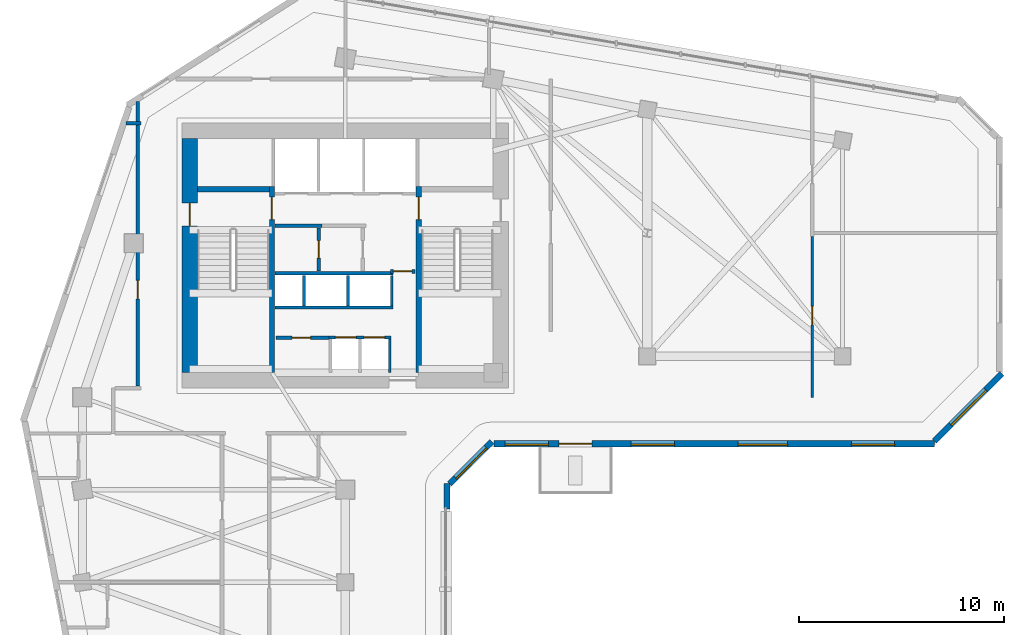
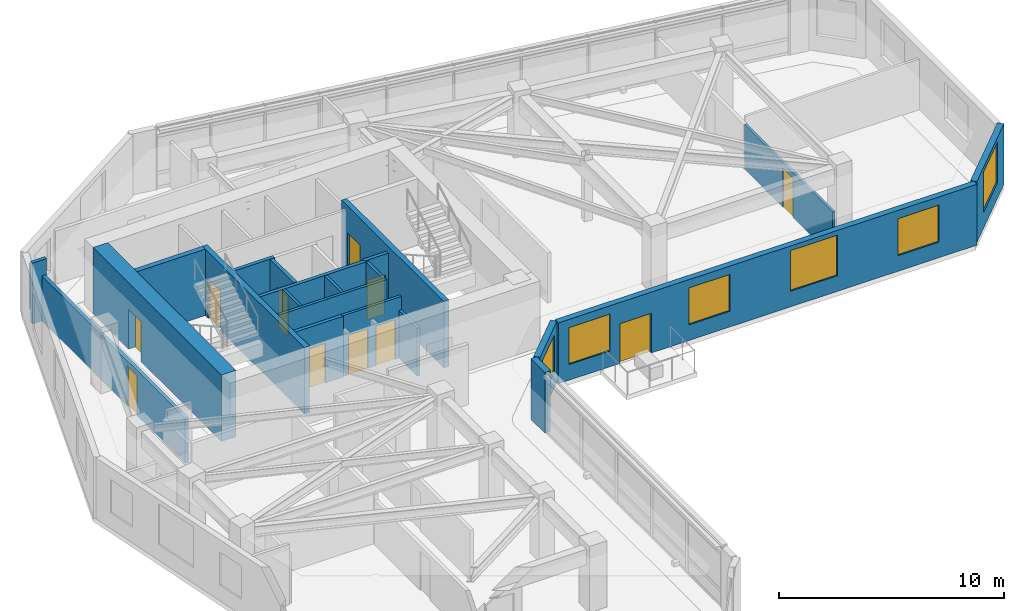
# One storey, part 6 of 12: 22 walls, 11 doors, 6 windows, 17 openings.
"""IFC4 building model written with IfcOpenShell, lengths in metres."""

from ifc_helpers import new_model, si_unit, direction, frame, frame_2d, origin, place, context, subcontext, project, spatial, rectangle, extrude, source, transform, mapped, material, layer, layer_set, type_object, element, fill, save


model = new_model("IFC4")

# Units and contexts
model_context = context("Model", 3, precision=1e-05, world=origin(), true_north=direction((0.0, 1.0)))
body_context = subcontext(model_context, "Body", "Model", "MODEL_VIEW")
ifc_project = project(units=[si_unit("LENGTHUNIT", "METRE"), si_unit("AREAUNIT", "SQUARE_METRE"), si_unit("VOLUMEUNIT", "CUBIC_METRE"), si_unit("PLANEANGLEUNIT", "RADIAN"), si_unit("MASSUNIT", "GRAM", prefix="KILO")], contexts=[model_context])

# Site, building, storey
site_placement = place(None, origin())
site = spatial("IfcSite", under=ifc_project, at=site_placement, CompositionType="ELEMENT")
building_placement = place(site_placement, origin())
building = spatial("IfcBuilding", under=site, at=building_placement, Name="Calvemar Wedge Station Tower", CompositionType="ELEMENT")
storey_placement = place(building_placement, frame((0.0, 0.0, 135.800048828125)))
storey = spatial("IfcBuildingStorey", under=building, at=storey_placement, Name="L33", CompositionType="ELEMENT", Elevation=135.800048828125)

# Wall, opening, door
ifc_material_1 = material(Name="Concrete C50", Category="concrete")
ifc_layer_1 = layer(ifc_material_1, 0.260009765625)
ifc_layer_set_1 = layer_set([ifc_layer_1], Name="Concrete C50")
wall_type_1 = type_object("IfcWallType", Name="SW-CORE-260", PredefinedType="SHEAR", material=ifc_layer_set_1)
wall_1_placement = place(storey_placement, frame((20.22998046875, 34.199951171875, 0.0), z_axis=(0.0, 0.0, 1.0), x_axis=(0.0, 1.0, 0.0)))
wall_1 = element("IfcWall", 1, at=wall_1_placement, inside=storey, type_object=wall_type_1, Name="Storey L33 Core Shear Wall SPINE-W", PredefinedType="SHEAR", context=body_context, shape_type="SweptSolid", body=[
    extrude(rectangle(XDim=9.06005859375, YDim=0.260009765625, at=frame_2d((4.530029296875, 0.0))), origin(), (0.0, 0.0, 1.0), 3.599853515625),
])
shared_shape_1 = source(origin(), body_context, "Body", "SweptSolid", [
    extrude(rectangle(XDim=1.10009765625, YDim=2.14990234375, at=frame_2d((0.550048828125, 1.074951171875))), frame((0.0, 0.14013671875, 0.0), z_axis=(0.0, -1.0, 0.0), x_axis=(1.0, 0.0, 0.0)), (0.0, 0.0, 1.0), 0.280029296875),
])
opening_1_placement = place(wall_1_placement, frame((7.449951171875, 0.0, 0.0)))
opening_1 = element("IfcOpeningElement", 2, at=opening_1_placement, cuts=wall_1, Name="Opening FD-90", PredefinedType="OPENING", context=body_context, shape_type="MappedRepresentation", body=[
    mapped(shared_shape_1, transform((0.0, 0.0, 0.0), scale=1.0)),
])
ifc_material_2 = material(Name="Galvanized fire-rated steel door leaf P-90", Category="steel")
door_type_1 = type_object("IfcDoorType", Name="DR-FD90-1100", OperationType="NOTDEFINED", PredefinedType="DOOR", material=ifc_material_2)
shared_shape_2 = source(origin(), body_context, "Body", "SweptSolid", [
    extrude(rectangle(XDim=1.10009765625, YDim=2.14990234375, at=frame_2d((0.550048828125, 1.074951171875))), frame((0.0, 0.02490234375, 0.0), z_axis=(0.0, -1.0, 0.0), x_axis=(1.0, 0.0, 0.0)), (0.0, 0.0, 1.0), 0.050048828125),
])
door_1_placement = place(opening_1_placement, origin())
door_1 = element("IfcDoor", 3, at=door_1_placement, inside=storey, type_object=door_type_1, Name="L33 FF Lobby to Stair ST-C1 Door", OperationType="SINGLE_SWING_LEFT", OverallHeight=2.14990234375, OverallWidth=1.10009765625, PredefinedType="DOOR", context=body_context, shape_type="MappedRepresentation", body=[
    mapped(shared_shape_2, transform((0.0, 0.0, 0.0), scale=1.0)),
])
fill(opening_1, door_1)

wall_2_placement = place(storey_placement, frame((27.3701171875, 34.199951171875, 0.0), z_axis=(0.0, 0.0, 1.0), x_axis=(0.0, 1.0, 0.0)))
wall_2 = element("IfcWall", 4, at=wall_2_placement, inside=storey, type_object=wall_type_1, Name="Storey L33 Core Shear Wall SPINE-E", PredefinedType="SHEAR", context=body_context, shape_type="SweptSolid", body=[
    extrude(rectangle(XDim=9.06005859375, YDim=0.260009765625, at=frame_2d((4.530029296875, 0.0))), origin(), (0.0, 0.0, 1.0), 3.599853515625),
])
opening_2_placement = place(wall_2_placement, frame((7.449951171875, 0.0, 0.0)))
opening_2 = element("IfcOpeningElement", 5, at=opening_2_placement, cuts=wall_2, Name="Opening FD-90", PredefinedType="OPENING", context=body_context, shape_type="MappedRepresentation", body=[
    mapped(shared_shape_1, transform((0.0, 0.0, 0.0), scale=1.0)),
])
door_2_placement = place(opening_2_placement, origin())
door_2 = element("IfcDoor", 6, at=door_2_placement, inside=storey, type_object=door_type_1, Name="L33 FF Lobby to Stair ST-C2 Door", OperationType="SINGLE_SWING_RIGHT", OverallHeight=2.14990234375, OverallWidth=1.10009765625, PredefinedType="DOOR", context=body_context, shape_type="MappedRepresentation", body=[
    mapped(shared_shape_2, transform((0.0, 0.0, 0.0), scale=1.0)),
])
fill(opening_2, door_2)

# Wall
wall_3_placement = place(storey_placement, frame((16.60009765625, 43.1298828125, 0.0), z_axis=(0.0, 0.0, 1.0), x_axis=(1.0, 0.0, 0.0)))
element("IfcWall", 7, at=wall_3_placement, inside=storey, type_object=wall_type_1, Name="Storey L33 Core Shear Wall STC1-N", PredefinedType="SHEAR", context=body_context, shape_type="SweptSolid", body=[
    extrude(rectangle(XDim=3.5, YDim=0.260009765625, at=frame_2d((1.75, 0.0))), origin(), (0.0, 0.0, 1.0), 3.599853515625),
])

# Wall, opening, door
ifc_material_3 = material(Name="Concrete C70", Category="concrete")
ifc_layer_2 = layer(ifc_material_3, 0.75)
ifc_layer_set_2 = layer_set([ifc_layer_2], Name="Concrete C70")
wall_type_2 = type_object("IfcWallType", Name="SW-CORE-750", PredefinedType="SHEAR", material=ifc_layer_set_2)
wall_4_placement = place(storey_placement, frame((16.22509765625, 34.199951171875, 0.0), z_axis=(0.0, 0.0, 1.0), x_axis=(0.0, 1.0, 0.0)))
wall_4 = element("IfcWall", 8, at=wall_4_placement, inside=storey, type_object=wall_type_2, Name="Storey L33 Core Shear Wall W", PredefinedType="SHEAR", context=body_context, shape_type="SweptSolid", body=[
    extrude(rectangle(XDim=11.400146484375, YDim=0.75, at=frame_2d((5.7001953125, 0.0))), origin(), (0.0, 0.0, 1.0), 3.599853515625),
])
shared_shape_3 = source(origin(), body_context, "Body", "SweptSolid", [
    extrude(rectangle(XDim=1.10009765625, YDim=2.14990234375, at=frame_2d((0.550048828125, 1.074951171875))), frame((0.0, 0.385009765625, 0.0), z_axis=(0.0, -1.0, 0.0), x_axis=(1.0, 0.0, 0.0)), (0.0, 0.0, 1.0), 0.77001953125),
])
opening_3_placement = place(wall_4_placement, frame((7.14990234375, 0.0, 0.0)))
opening_3 = element("IfcOpeningElement", 9, at=opening_3_placement, cuts=wall_4, Name="Opening FD-90", PredefinedType="OPENING", context=body_context, shape_type="MappedRepresentation", body=[
    mapped(shared_shape_3, transform((0.0, 0.0, 0.0), scale=1.0)),
])
door_3_placement = place(opening_3_placement, origin())
door_3 = element("IfcDoor", 10, at=door_3_placement, inside=storey, type_object=door_type_1, Name="L33 West Corridor to Exit Stair ST-C1 Door", OperationType="SINGLE_SWING_LEFT", OverallHeight=2.14990234375, OverallWidth=1.10009765625, PredefinedType="DOOR", context=body_context, shape_type="MappedRepresentation", body=[
    mapped(shared_shape_2, transform((0.0, 0.0, 0.0), scale=1.0)),
])
fill(opening_3, door_3)

# Wall
ifc_material_4 = material(Name="Double-stud fire-rated corridor partition")
ifc_layer_3 = layer(ifc_material_4, 0.179931640625)
ifc_layer_set_3 = layer_set([ifc_layer_3], Name="Double-stud fire-rated corridor partition")
wall_type_3 = type_object("IfcWallType", Name="W-CORR-180", PredefinedType="PARTITIONING", material=ifc_layer_set_3)
wall_5_placement = place(storey_placement, frame((22.659912109375, 41.35009765625, 0.0), z_axis=(0.0, 0.0, 1.0), x_axis=(-1.0, 0.0, 0.0)))
element("IfcWall", 11, at=wall_5_placement, inside=storey, type_object=wall_type_3, Name="Storey L33 Interior Partition WL-L33-001", PredefinedType="PARTITIONING", context=body_context, shape_type="SweptSolid", body=[
    extrude(rectangle(XDim=2.280029296875, YDim=0.179931640625, at=frame_2d((1.14013671875, 0.0))), origin(), (0.0, 0.0, 1.0), 3.300048828125),
])

# Wall, opening, door
wall_6_placement = place(storey_placement, frame((22.5, 41.256103515625, 0.0), z_axis=(0.0, 0.0, 1.0), x_axis=(0.0, -1.0, 0.0)))
wall_6 = element("IfcWall", 12, at=wall_6_placement, inside=storey, type_object=wall_type_3, Name="Storey L33 Interior Partition WL-L33-003", PredefinedType="PARTITIONING", context=body_context, shape_type="SweptSolid", body=[
    extrude(rectangle(XDim=2.106201171875, YDim=0.179931640625, at=frame_2d((1.05322265625, 0.0))), origin(), (0.0, 0.0, 1.0), 3.300048828125),
])
shared_shape_4 = source(origin(), body_context, "Body", "SweptSolid", [
    extrude(rectangle(XDim=0.85009765625, YDim=2.14990234375, at=frame_2d((0.425048828125, 1.074951171875))), frame((0.0, 0.10009765625, 0.0), z_axis=(0.0, -1.0, 0.0), x_axis=(1.0, 0.0, 0.0)), (0.0, 0.0, 1.0), 0.199951171875),
])
opening_4_placement = place(wall_6_placement, frame((0.6279296875, 0.0, 0.0)))
opening_4 = element("IfcOpeningElement", 13, at=opening_4_placement, cuts=wall_6, Name="Opening FD-60S", PredefinedType="OPENING", context=body_context, shape_type="MappedRepresentation", body=[
    mapped(shared_shape_4, transform((0.0, 0.0, 0.0), scale=1.0)),
])
ifc_material_5 = material(Name="Fire-rated steel and hardwood service door EI 60", Category="steel")
door_type_2 = type_object("IfcDoorType", Name="DR-CORE-FD60-850", OperationType="NOTDEFINED", PredefinedType="DOOR", material=ifc_material_5)
shared_shape_5 = source(origin(), body_context, "Body", "SweptSolid", [
    extrude(rectangle(XDim=0.85009765625, YDim=2.14990234375, at=frame_2d((0.425048828125, 1.074951171875))), frame((0.0, 0.02490234375, 0.0), z_axis=(0.0, -1.0, 0.0), x_axis=(1.0, 0.0, 0.0)), (0.0, 0.0, 1.0), 0.050048828125),
])
door_4_placement = place(opening_4_placement, origin())
door_4 = element("IfcDoor", 14, at=door_4_placement, inside=storey, type_object=door_type_2, Name="L33 IT and Telecoms Room Door", OperationType="SINGLE_SWING_LEFT", OverallHeight=2.14990234375, OverallWidth=0.85009765625, PredefinedType="DOOR", context=body_context, shape_type="MappedRepresentation", body=[
    mapped(shared_shape_5, transform((0.0, 0.0, 0.0), scale=1.0)),
])
fill(opening_4, door_4)

wall_7_placement = place(storey_placement, frame((27.199951171875, 39.1298828125, 0.0), z_axis=(0.0, 0.0, 1.0), x_axis=(-1.0, 0.0, 0.0)))
wall_7 = element("IfcWall", 15, at=wall_7_placement, inside=storey, type_object=wall_type_3, Name="Storey L33 Interior Partition WL-L33-005", PredefinedType="PARTITIONING", context=body_context, shape_type="SweptSolid", body=[
    extrude(rectangle(XDim=1.2099609375, YDim=0.179931640625, at=frame_2d((0.60498046875, 0.0))), origin(), (0.0, 0.0, 1.0), 3.300048828125),
])
shared_shape_6 = source(origin(), body_context, "Body", "SweptSolid", [
    extrude(rectangle(XDim=0.89990234375, YDim=2.14990234375, at=frame_2d((0.449951171875, 1.074951171875))), frame((0.0, 0.10009765625, 0.0), z_axis=(0.0, -1.0, 0.0), x_axis=(1.0, 0.0, 0.0)), (0.0, 0.0, 1.0), 0.199951171875),
])
opening_5_placement = place(wall_7_placement, frame((0.155029296875, 0.0, 0.0)))
opening_5 = element("IfcOpeningElement", 16, at=opening_5_placement, cuts=wall_7, Name="Opening FD-60", PredefinedType="OPENING", context=body_context, shape_type="MappedRepresentation", body=[
    mapped(shared_shape_6, transform((0.0, 0.0, 0.0), scale=1.0)),
])
ifc_material_6 = material(Name="Fire-rated acoustic timber-core entrance door EI 60", Category="wood")
door_type_3 = type_object("IfcDoorType", Name="DR-FD60-900", OperationType="NOTDEFINED", PredefinedType="DOOR", material=ifc_material_6)
shared_shape_7 = source(origin(), body_context, "Body", "SweptSolid", [
    extrude(rectangle(XDim=0.89990234375, YDim=2.14990234375, at=frame_2d((0.449951171875, 1.074951171875))), frame((0.0, 0.02490234375, 0.0), z_axis=(0.0, -1.0, 0.0), x_axis=(1.0, 0.0, 0.0)), (0.0, 0.0, 1.0), 0.050048828125),
])
door_5_placement = place(opening_5_placement, origin())
door_5 = element("IfcDoor", 17, at=door_5_placement, inside=storey, type_object=door_type_3, Name="L33 Core Service Lobby Door", OperationType="SINGLE_SWING_LEFT", OverallHeight=2.14990234375, OverallWidth=0.89990234375, PredefinedType="DOOR", context=body_context, shape_type="MappedRepresentation", body=[
    mapped(shared_shape_7, transform((0.0, 0.0, 0.0), scale=1.0)),
])
fill(opening_5, door_5)

wall_8_placement = place(storey_placement, frame((20.419921875, 35.89990234375, 0.0), z_axis=(0.0, 0.0, 1.0), x_axis=(1.0, 0.0, 0.0)))
wall_8 = element("IfcWall", 18, at=wall_8_placement, inside=storey, type_object=wall_type_3, Name="Storey L33 Interior Partition WL-L33-006", PredefinedType="PARTITIONING", context=body_context, shape_type="SweptSolid", body=[
    extrude(rectangle(XDim=2.6201171875, YDim=0.179931640625, at=frame_2d((1.31005859375, 0.0))), origin(), (0.0, 0.0, 1.0), 3.300048828125),
])
opening_6_placement = place(wall_8_placement, frame((0.795654296875, 0.0, 0.0)))
opening_6 = element("IfcOpeningElement", 19, at=opening_6_placement, cuts=wall_8, Name="Opening FD-60", PredefinedType="OPENING", context=body_context, shape_type="MappedRepresentation", body=[
    mapped(shared_shape_6, transform((0.0, 0.0, 0.0), scale=1.0)),
])
door_6_placement = place(opening_6_placement, origin())
door_6 = element("IfcDoor", 20, at=door_6_placement, inside=storey, type_object=door_type_3, Name="L33 Housekeeping Store Door", OperationType="SINGLE_SWING_RIGHT", OverallHeight=2.14990234375, OverallWidth=0.89990234375, PredefinedType="DOOR", context=body_context, shape_type="MappedRepresentation", body=[
    mapped(shared_shape_7, transform((0.0, 0.0, 0.0), scale=1.0)),
])
fill(opening_6, door_6)

wall_9_placement = place(storey_placement, frame((13.699951171875, 33.5439453125, 0.0), z_axis=(0.0, 0.0, 1.0), x_axis=(0.0, 1.0, 0.0)))
wall_9 = element("IfcWall", 21, at=wall_9_placement, inside=storey, type_object=wall_type_3, Name="Storey L33 Interior Partition WL-L33-012", PredefinedType="PARTITIONING", context=body_context, shape_type="SweptSolid", body=[
    extrude(rectangle(XDim=13.860107421875, YDim=0.179931640625, at=frame_2d((6.93017578125, 0.0))), origin(), (0.0, 0.0, 1.0), 2.44189453125),
])
opening_7_placement = place(wall_9_placement, frame((4.252685546875, 0.0, 0.0)))
opening_7 = element("IfcOpeningElement", 22, at=opening_7_placement, cuts=wall_9, Name="Opening D-01", PredefinedType="OPENING", context=body_context, shape_type="MappedRepresentation", body=[
    mapped(shared_shape_6, transform((0.0, 0.0, 0.0), scale=1.0)),
])
ifc_material_7 = material(Name="Architectural hardwood acoustic swing door", Category="wood")
door_type_4 = type_object("IfcDoorType", Name="DR-INT-900", OperationType="NOTDEFINED", PredefinedType="DOOR", material=ifc_material_7)
shared_shape_8 = source(origin(), body_context, "Body", "SweptSolid", [
    extrude(rectangle(XDim=0.89990234375, YDim=2.14990234375, at=frame_2d((0.449951171875, 1.074951171875))), frame((0.0, 0.02490234375, 0.0), z_axis=(0.0, -1.0, 0.0), x_axis=(1.0, 0.0, 0.0)), (0.0, 0.0, 1.0), 0.050048828125),
])
door_7_placement = place(opening_7_placement, origin())
door_7 = element("IfcDoor", 23, at=door_7_placement, inside=storey, type_object=door_type_4, Name="L33 Executive Lounge Door", OperationType="SINGLE_SWING_LEFT", OverallHeight=2.14990234375, OverallWidth=0.89990234375, PredefinedType="DOOR", context=body_context, shape_type="MappedRepresentation", body=[
    mapped(shared_shape_8, transform((0.0, 0.0, 0.0), scale=1.0)),
])
fill(opening_7, door_7)

# Walls
wall_10_placement = place(storey_placement, frame((13.860107421875, 46.35009765625, 0.0), z_axis=(0.0, 0.0, 1.0), x_axis=(-1.0, 0.0, 0.0)))
element("IfcWall", 24, at=wall_10_placement, inside=storey, type_object=wall_type_3, Name="Storey L33 Interior Partition WL-L33-013", PredefinedType="PARTITIONING", context=body_context, shape_type="SweptSolid", body=[
    extrude(rectangle(XDim=0.73486328125, YDim=0.179931640625, at=frame_2d((0.367431640625, 0.0))), origin(), (0.0, 0.0, 1.0), 3.300048828125),
])
ifc_material_8 = material(Name="Precast concrete C45", Category="concrete")
ifc_layer_4 = layer(ifc_material_8, 0.300048828125)
ifc_layer_set_4 = layer_set([ifc_layer_4], Name="Precast concrete C45")
wall_type_4 = type_object("IfcWallType", Name="W-EXT-GFRC-300", PredefinedType="SOLIDWALL", material=ifc_layer_set_4)
wall_11_placement = place(storey_placement, frame((28.74609375, 27.57666015625, 0.0), z_axis=(0.0, 0.0, 1.0), x_axis=(0.0, 1.0, 0.0)))
element("IfcWall", 25, at=wall_11_placement, inside=storey, type_object=wall_type_4, Name="Storey L33 Bronze GFRC Corner Pier 4B", PredefinedType="SOLIDWALL", context=body_context, shape_type="SweptSolid", body=[
    extrude(rectangle(XDim=1.2275390625, YDim=0.300048828125, at=frame_2d((0.61376953125, 0.0))), origin(), (0.0, 0.0, 1.0), 3.300048828125),
])

# Wall, opening, window
wall_12_placement = place(storey_placement, frame((28.884033203125, 28.7919921875, 0.0), z_axis=(0.0, 0.0, 1.0), x_axis=(0.707064797706, 0.707148762175, 0.0)))
wall_12 = element("IfcWall", 26, at=wall_12_placement, inside=storey, type_object=wall_type_4, Name="Storey L33 Bronze GFRC Exterior Wall 5", PredefinedType="SOLIDWALL", context=body_context, shape_type="SweptSolid", body=[
    extrude(rectangle(XDim=2.90771484375, YDim=0.300048828125, at=frame_2d((1.453857421875, 0.0))), origin(), (0.0, 0.0, 1.0), 3.300048828125),
])
shared_shape_9 = source(origin(), body_context, "Body", "SweptSolid", [
    extrude(rectangle(XDim=2.10009765625, YDim=2.0, at=frame_2d((1.050048828125, 1.0))), frame((0.0, 0.16015625, 0.0), z_axis=(0.0, -1.0, 0.0), x_axis=(1.0, 0.0, 0.0)), (0.0, 0.0, 1.0), 0.320068359375),
])
opening_8_placement = place(wall_12_placement, frame((0.404052734375, 0.0, 0.85009765625)))
opening_8 = element("IfcOpeningElement", 27, at=opening_8_placement, cuts=wall_12, Name="Opening W4", PredefinedType="OPENING", context=body_context, shape_type="MappedRepresentation", body=[
    mapped(shared_shape_9, transform((0.0, 0.0, 0.0), scale=1.0)),
])
ifc_material_9 = material(Name="Low-E laminated insulated glass", Category="glass")
window_type_1 = type_object("IfcWindowType", Name="WIN-EXT-4", PartitioningType="SINGLE_PANEL", PredefinedType="WINDOW", material=ifc_material_9)
shared_shape_10 = source(origin(), body_context, "Body", "SweptSolid", [
    extrude(rectangle(XDim=2.10009765625, YDim=2.0, at=frame_2d((1.050048828125, 1.0))), frame((0.0, -0.014892578125, 0.0), z_axis=(0.0, -1.0, 0.0), x_axis=(1.0, 0.0, 0.0)), (0.0, 0.0, 1.0), 0.06005859375),
])
window_1_placement = place(opening_8_placement, origin())
window_1 = element("IfcWindow", 28, at=window_1_placement, inside=storey, type_object=window_type_1, Name="Storey L33 Recessed Window 5.1", OverallHeight=2.0, OverallWidth=2.10009765625, PartitioningType="SINGLE_PANEL", PredefinedType="WINDOW", context=body_context, shape_type="MappedRepresentation", body=[
    mapped(shared_shape_10, transform((0.0, 0.0, 0.0), scale=1.0)),
])
fill(opening_8, window_1)

# Wall, openings, windows, door
wall_13_placement = place(storey_placement, frame((31.029052734375, 30.741943359375, 0.0), z_axis=(0.0, 0.0, 1.0), x_axis=(1.0, 0.0, 0.0)))
wall_13 = element("IfcWall", 29, at=wall_13_placement, inside=storey, type_object=wall_type_4, Name="Storey L33 Bronze GFRC Exterior Wall 6", PredefinedType="SOLIDWALL", context=body_context, shape_type="SweptSolid", body=[
    extrude(rectangle(XDim=21.458740234375, YDim=0.300048828125, at=frame_2d((10.7294921875, 0.0))), origin(), (0.0, 0.0, 1.0), 3.300048828125),
])
shared_shape_11 = source(origin(), body_context, "Body", "SweptSolid", [
    extrude(rectangle(XDim=1.60009765625, YDim=2.14990234375, at=frame_2d((0.800048828125, 1.074951171875))), frame((0.0, 0.16015625, 0.0), z_axis=(0.0, -1.0, 0.0), x_axis=(1.0, 0.0, 0.0)), (0.0, 0.0, 1.0), 0.320068359375),
])
opening_9_placement = place(wall_13_placement, frame((3.1708984375, 0.0, 0.0)))
opening_9 = element("IfcOpeningElement", 30, at=opening_9_placement, cuts=wall_13, Name="Opening DT1", PredefinedType="OPENING", context=body_context, shape_type="MappedRepresentation", body=[
    mapped(shared_shape_11, transform((0.0, 0.0, 0.0), scale=1.0)),
])
opening_10_placement = place(wall_13_placement, frame((0.554931640625, 0.0, 0.85009765625)))
opening_10 = element("IfcOpeningElement", 31, at=opening_10_placement, cuts=wall_13, Name="Opening W4", PredefinedType="OPENING", context=body_context, shape_type="MappedRepresentation", body=[
    mapped(shared_shape_9, transform((0.0, 0.0, 0.0), scale=1.0)),
])
opening_11_placement = place(wall_13_placement, frame((6.681884765625, 0.0, 0.85009765625)))
opening_11 = element("IfcOpeningElement", 32, at=opening_11_placement, cuts=wall_13, Name="Opening W4", PredefinedType="OPENING", context=body_context, shape_type="MappedRepresentation", body=[
    mapped(shared_shape_9, transform((0.0, 0.0, 0.0), scale=1.0)),
])
shared_shape_12 = source(origin(), body_context, "Body", "SweptSolid", [
    extrude(rectangle(XDim=2.39990234375, YDim=2.199951171875, at=frame_2d((1.199951171875, 1.10009765625))), frame((0.0, 0.16015625, 0.0), z_axis=(0.0, -1.0, 0.0), x_axis=(1.0, 0.0, 0.0)), (0.0, 0.0, 1.0), 0.320068359375),
])
opening_12_placement = place(wall_13_placement, frame((11.89501953125, 0.0, 0.85009765625)))
opening_12 = element("IfcOpeningElement", 33, at=opening_12_placement, cuts=wall_13, Name="Opening W1", PredefinedType="OPENING", context=body_context, shape_type="MappedRepresentation", body=[
    mapped(shared_shape_12, transform((0.0, 0.0, 0.0), scale=1.0)),
])
opening_13_placement = place(wall_13_placement, frame((17.407958984375, 0.0, 0.85009765625)))
opening_13 = element("IfcOpeningElement", 34, at=opening_13_placement, cuts=wall_13, Name="Opening W4", PredefinedType="OPENING", context=body_context, shape_type="MappedRepresentation", body=[
    mapped(shared_shape_9, transform((0.0, 0.0, 0.0), scale=1.0)),
])
window_2_placement = place(opening_10_placement, origin())
window_2 = element("IfcWindow", 35, at=window_2_placement, inside=storey, type_object=window_type_1, Name="Storey L33 Recessed Window 6.1", OverallHeight=2.0, OverallWidth=2.10009765625, PartitioningType="SINGLE_PANEL", PredefinedType="WINDOW", context=body_context, shape_type="MappedRepresentation", body=[
    mapped(shared_shape_10, transform((0.0, 0.0, 0.0), scale=1.0)),
])
fill(opening_10, window_2)
window_3_placement = place(opening_11_placement, origin())
window_3 = element("IfcWindow", 36, at=window_3_placement, inside=storey, type_object=window_type_1, Name="Storey L33 Recessed Window 6.2", OverallHeight=2.0, OverallWidth=2.10009765625, PartitioningType="SINGLE_PANEL", PredefinedType="WINDOW", context=body_context, shape_type="MappedRepresentation", body=[
    mapped(shared_shape_10, transform((0.0, 0.0, 0.0), scale=1.0)),
])
fill(opening_11, window_3)
window_4_placement = place(opening_13_placement, origin())
window_4 = element("IfcWindow", 37, at=window_4_placement, inside=storey, type_object=window_type_1, Name="Storey L33 Recessed Window 6.4", OverallHeight=2.0, OverallWidth=2.10009765625, PartitioningType="SINGLE_PANEL", PredefinedType="WINDOW", context=body_context, shape_type="MappedRepresentation", body=[
    mapped(shared_shape_10, transform((0.0, 0.0, 0.0), scale=1.0)),
])
fill(opening_13, window_4)
window_type_2 = type_object("IfcWindowType", Name="WIN-EXT-1", PartitioningType="SINGLE_PANEL", PredefinedType="WINDOW", material=ifc_material_9)
shared_shape_13 = source(origin(), body_context, "Body", "SweptSolid", [
    extrude(rectangle(XDim=2.39990234375, YDim=2.199951171875, at=frame_2d((1.199951171875, 1.10009765625))), frame((0.0, -0.014892578125, 0.0), z_axis=(0.0, -1.0, 0.0), x_axis=(1.0, 0.0, 0.0)), (0.0, 0.0, 1.0), 0.06005859375),
])
window_5_placement = place(opening_12_placement, origin())
window_5 = element("IfcWindow", 38, at=window_5_placement, inside=storey, type_object=window_type_2, Name="Storey L33 Recessed Window 6.3", OverallHeight=2.199951171875, OverallWidth=2.39990234375, PartitioningType="SINGLE_PANEL", PredefinedType="WINDOW", context=body_context, shape_type="MappedRepresentation", body=[
    mapped(shared_shape_13, transform((0.0, 0.0, 0.0), scale=1.0)),
])
fill(opening_12, window_5)
ifc_material_10 = material(Name="Anodised aluminium 6063-T6", Category="aluminium")
door_type_5 = type_object("IfcDoorType", Name="DR-TERR-1600", OperationType="DOUBLE_DOOR_SLIDING", PredefinedType="DOOR", material=ifc_material_10)
shared_shape_14 = source(origin(), body_context, "Body", "SweptSolid", [
    extrude(rectangle(XDim=1.60009765625, YDim=2.14990234375, at=frame_2d((0.800048828125, 1.074951171875))), frame((0.0, 0.02490234375, 0.0), z_axis=(0.0, -1.0, 0.0), x_axis=(1.0, 0.0, 0.0)), (0.0, 0.0, 1.0), 0.050048828125),
])
door_8_placement = place(opening_9_placement, origin())
door_8 = element("IfcDoor", 39, at=door_8_placement, inside=storey, type_object=door_type_5, Name="Storey L33 Spiral Terrace Door", OperationType="DOUBLE_DOOR_SLIDING", OverallHeight=2.14990234375, OverallWidth=1.60009765625, PredefinedType="DOOR", context=body_context, shape_type="MappedRepresentation", body=[
    mapped(shared_shape_14, transform((0.0, 0.0, 0.0), scale=1.0)),
])
fill(opening_9, door_8)

# Wall, opening, window
wall_14_placement = place(storey_placement, frame((52.475830078125, 30.8798828125, 0.0), z_axis=(0.0, 0.0, 1.0), x_axis=(0.707106781187, 0.707106781187, 0.0)))
wall_14 = element("IfcWall", 40, at=wall_14_placement, inside=storey, type_object=wall_type_4, Name="Storey L33 Bronze GFRC Exterior Wall 7", PredefinedType="SOLIDWALL", context=body_context, shape_type="SweptSolid", body=[
    extrude(rectangle(XDim=4.638916015625, YDim=0.300048828125, at=frame_2d((2.3193359375, 0.0))), origin(), (0.0, 0.0, 1.0), 3.300048828125),
])
opening_14_placement = place(wall_14_placement, frame((1.118896484375, 0.0, 0.85009765625)))
opening_14 = element("IfcOpeningElement", 41, at=opening_14_placement, cuts=wall_14, Name="Opening W1", PredefinedType="OPENING", context=body_context, shape_type="MappedRepresentation", body=[
    mapped(shared_shape_12, transform((0.0, 0.0, 0.0), scale=1.0)),
])
window_6_placement = place(opening_14_placement, origin())
window_6 = element("IfcWindow", 42, at=window_6_placement, inside=storey, type_object=window_type_2, Name="Storey L33 Recessed Window 7.1", OverallHeight=2.199951171875, OverallWidth=2.39990234375, PartitioningType="SINGLE_PANEL", PredefinedType="WINDOW", context=body_context, shape_type="MappedRepresentation", body=[
    mapped(shared_shape_13, transform((0.0, 0.0, 0.0), scale=1.0)),
])
fill(opening_14, window_6)

# Wall, openings, doors
ifc_material_11 = material(Name="Reinforced concrete blockwork lift shaft wall", Category="masonry")
ifc_layer_5 = layer(ifc_material_11, 0.139892578125)
ifc_layer_set_5 = layer_set([ifc_layer_5], Name="Reinforced concrete blockwork lift shaft wall")
wall_type_5 = type_object("IfcWallType", Name="W-LIFT-160", PredefinedType="SOLIDWALL", material=ifc_layer_set_5)
wall_15_placement = place(storey_placement, frame((23.0, 35.919921875, 0.0), z_axis=(0.0, 0.0, 1.0), x_axis=(1.0, 0.0, 0.0)))
wall_15 = element("IfcWall", 43, at=wall_15_placement, inside=storey, type_object=wall_type_5, Name="Storey L33 South Passenger Lift Bank Front Wall", PredefinedType="SOLIDWALL", context=body_context, shape_type="SweptSolid", body=[
    extrude(rectangle(XDim=3.030029296875, YDim=0.139892578125, at=frame_2d((1.51513671875, 0.0))), origin(), (0.0, 0.0, 1.0), 3.300048828125),
])
shared_shape_15 = source(origin(), body_context, "Body", "SweptSolid", [
    extrude(rectangle(XDim=1.0, YDim=2.14990234375, at=frame_2d((0.5, 1.074951171875))), frame((0.0, 0.080078125, 0.0), z_axis=(0.0, -1.0, 0.0), x_axis=(1.0, 0.0, 0.0)), (0.0, 0.0, 1.0), 0.159912109375),
])
opening_15_placement = place(wall_15_placement, frame((0.320068359375, 0.0, 0.0)))
opening_15 = element("IfcOpeningElement", 44, at=opening_15_placement, cuts=wall_15, Name="Opening LD-PAX", PredefinedType="OPENING", context=body_context, shape_type="MappedRepresentation", body=[
    mapped(shared_shape_15, transform((0.0, 0.0, 0.0), scale=1.0)),
])
opening_16_placement = place(wall_15_placement, frame((1.7099609375, 0.0, 0.0)))
opening_16 = element("IfcOpeningElement", 45, at=opening_16_placement, cuts=wall_15, Name="Opening LD-PAX", PredefinedType="OPENING", context=body_context, shape_type="MappedRepresentation", body=[
    mapped(shared_shape_15, transform((0.0, 0.0, 0.0), scale=1.0)),
])
ifc_material_12 = material(Name="Anodised bronze passenger lift sliding landing door")
door_type_6 = type_object("IfcDoorType", Name="DR-LD-PAX-1000", OperationType="SLIDING_TO_LEFT", PredefinedType="DOOR", material=ifc_material_12)
shared_shape_16 = source(origin(), body_context, "Body", "SweptSolid", [
    extrude(rectangle(XDim=1.0, YDim=2.14990234375, at=frame_2d((0.5, 1.074951171875))), frame((0.0, 0.02490234375, 0.0), z_axis=(0.0, -1.0, 0.0), x_axis=(1.0, 0.0, 0.0)), (0.0, 0.0, 1.0), 0.050048828125),
])
door_9_placement = place(opening_15_placement, origin())
door_9 = element("IfcDoor", 46, at=door_9_placement, inside=storey, type_object=door_type_6, Name="L33 Lift HL-01 Sliding Landing Door", OperationType="SLIDING_TO_LEFT", OverallHeight=2.14990234375, OverallWidth=1.0, PredefinedType="DOOR", context=body_context, shape_type="MappedRepresentation", body=[
    mapped(shared_shape_16, transform((0.0, 0.0, 0.0), scale=1.0)),
])
fill(opening_15, door_9)
door_10_placement = place(opening_16_placement, origin())
door_10 = element("IfcDoor", 47, at=door_10_placement, inside=storey, type_object=door_type_6, Name="L33 Lift HL-02 Sliding Landing Door", OperationType="SLIDING_TO_RIGHT", OverallHeight=2.14990234375, OverallWidth=1.0, PredefinedType="DOOR", context=body_context, shape_type="MappedRepresentation", body=[
    mapped(shared_shape_16, transform((0.0, 0.0, 0.0), scale=1.0)),
])
fill(opening_16, door_10)

# Walls
wall_16_placement = place(storey_placement, frame((25.9599609375, 34.219970703125, 0.0), z_axis=(0.0, 0.0, 1.0), x_axis=(0.0, 1.0, 0.0)))
element("IfcWall", 48, at=wall_16_placement, inside=storey, type_object=wall_type_5, Name="Storey L33 South Passenger Lift Shaft Wall E", PredefinedType="SOLIDWALL", context=body_context, shape_type="SweptSolid", body=[
    extrude(rectangle(XDim=1.6201171875, YDim=0.139892578125, at=frame_2d((0.81005859375, 0.0))), origin(), (0.0, 0.0, 1.0), 2.592041015625),
])
wall_17_placement = place(storey_placement, frame((20.3798828125, 37.3798828125, 0.0), z_axis=(0.0, 0.0, 1.0), x_axis=(1.0, 0.0, 0.0)))
element("IfcWall", 49, at=wall_17_placement, inside=storey, type_object=wall_type_5, Name="Storey L33 Upper Passenger Lift Bank Front Wall", PredefinedType="SOLIDWALL", context=body_context, shape_type="SweptSolid", body=[
    extrude(rectangle(XDim=5.75, YDim=0.139892578125, at=frame_2d((2.875, 0.0))), origin(), (0.0, 0.0, 1.0), 3.300048828125),
])
for number, where, z_axis, x_axis, name in (
    (50, (26.06005859375, 37.4599609375, 0.0), (0.0, 0.0, 1.0), (0.0, 1.0, 0.0), "Storey L33 Upper Passenger Lift Shaft Wall E"),
    (51, (21.794921875, 37.4599609375, 0.0), (0.0, 0.0, 1.0), (0.0, 1.0, 0.0), "Storey L33 Upper Passenger Lift Shaft Wall D1"),
    (52, (23.93505859375, 37.4599609375, 0.0), (0.0, 0.0, 1.0), (0.0, 1.0, 0.0), "Storey L33 Upper Passenger Lift Shaft Wall D2"),
):
    element("IfcWall", number, at=place(storey_placement, frame(where, z_axis=z_axis, x_axis=x_axis)), inside=storey, type_object=wall_type_5, Name=name, PredefinedType="SOLIDWALL", context=body_context, shape_type="SweptSolid", body=[
        extrude(rectangle(XDim=1.47998046875, YDim=0.139892578125, at=frame_2d((0.739990234375, 0.0))), origin(), (0.0, 0.0, 1.0), 3.300048828125),
    ])

# Wall, opening, door
ifc_material_13 = material(Name="Insulated acoustic gypsum stud partition")
ifc_layer_6 = layer(ifc_material_13, 0.125)
ifc_layer_set_6 = layer_set([ifc_layer_6], Name="Insulated acoustic gypsum stud partition")
wall_type_6 = type_object("IfcWallType", Name="W-PART-125", PredefinedType="PARTITIONING", material=ifc_layer_set_6)
wall_18_placement = place(storey_placement, frame((46.534912109375, 40.837890625, 0.0), z_axis=(0.0, 0.0, 1.0), x_axis=(0.0, -1.0, 0.0)))
wall_18 = element("IfcWall", 53, at=wall_18_placement, inside=storey, type_object=wall_type_6, Name="Storey L33 Interior Partition WL-L33-022", PredefinedType="PARTITIONING", context=body_context, shape_type="SweptSolid", body=[
    extrude(rectangle(XDim=7.837890625, YDim=0.125, at=frame_2d((3.9189453125, 0.0))), origin(), (0.0, 0.0, 1.0), 2.44189453125),
])
shared_shape_17 = source(origin(), body_context, "Body", "SweptSolid", [
    extrude(rectangle(XDim=0.89990234375, YDim=2.14990234375, at=frame_2d((0.449951171875, 1.074951171875))), frame((0.0, 0.072509765625, 0.0), z_axis=(0.0, -1.0, 0.0), x_axis=(1.0, 0.0, 0.0)), (0.0, 0.0, 1.0), 0.14501953125),
])
opening_17_placement = place(wall_18_placement, frame((3.40869140625, 0.0, 0.0)))
opening_17 = element("IfcOpeningElement", 54, at=opening_17_placement, cuts=wall_18, Name="Opening D-01", PredefinedType="OPENING", context=body_context, shape_type="MappedRepresentation", body=[
    mapped(shared_shape_17, transform((0.0, 0.0, 0.0), scale=1.0)),
])
door_11_placement = place(opening_17_placement, origin())
door_11 = element("IfcDoor", 55, at=door_11_placement, inside=storey, type_object=door_type_4, Name="L33 VIP Boardroom Door", OperationType="SINGLE_SWING_RIGHT", OverallHeight=2.14990234375, OverallWidth=0.89990234375, PredefinedType="DOOR", context=body_context, shape_type="MappedRepresentation", body=[
    mapped(shared_shape_8, transform((0.0, 0.0, 0.0), scale=1.0)),
])
fill(opening_17, door_11)

# Wall
ifc_material_14 = material(Name="Concrete blockwork and fireboard shaft wall", Category="masonry")
ifc_layer_7 = layer(ifc_material_14, 0.199951171875)
ifc_layer_set_7 = layer_set([ifc_layer_7], Name="Concrete blockwork and fireboard shaft wall")
wall_type_7 = type_object("IfcWallType", Name="W-SHAFT-200", PredefinedType="SOLIDWALL", material=ifc_layer_set_7)
wall_19_placement = place(storey_placement, frame((20.3798828125, 39.0400390625, 0.0), z_axis=(0.0, 0.0, 1.0), x_axis=(1.0, 0.0, 0.0)))
element("IfcWall", 56, at=wall_19_placement, inside=storey, type_object=wall_type_7, Name="Storey L33 Upper Passenger Lift Bank Rear Shaft Wall", PredefinedType="SOLIDWALL", context=body_context, shape_type="SweptSolid", body=[
    extrude(rectangle(XDim=5.75, YDim=0.179931640625, at=frame_2d((2.875, 0.0))), origin(), (0.0, 0.0, 1.0), 3.300048828125),
])

save(model, "model.ifc")
